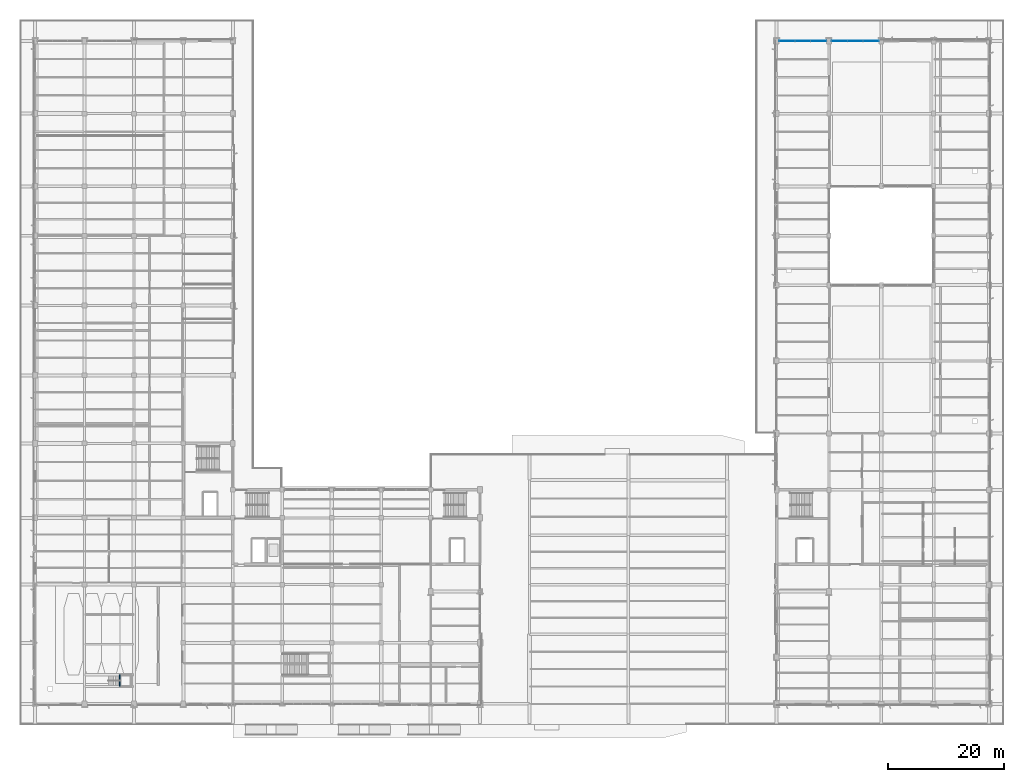
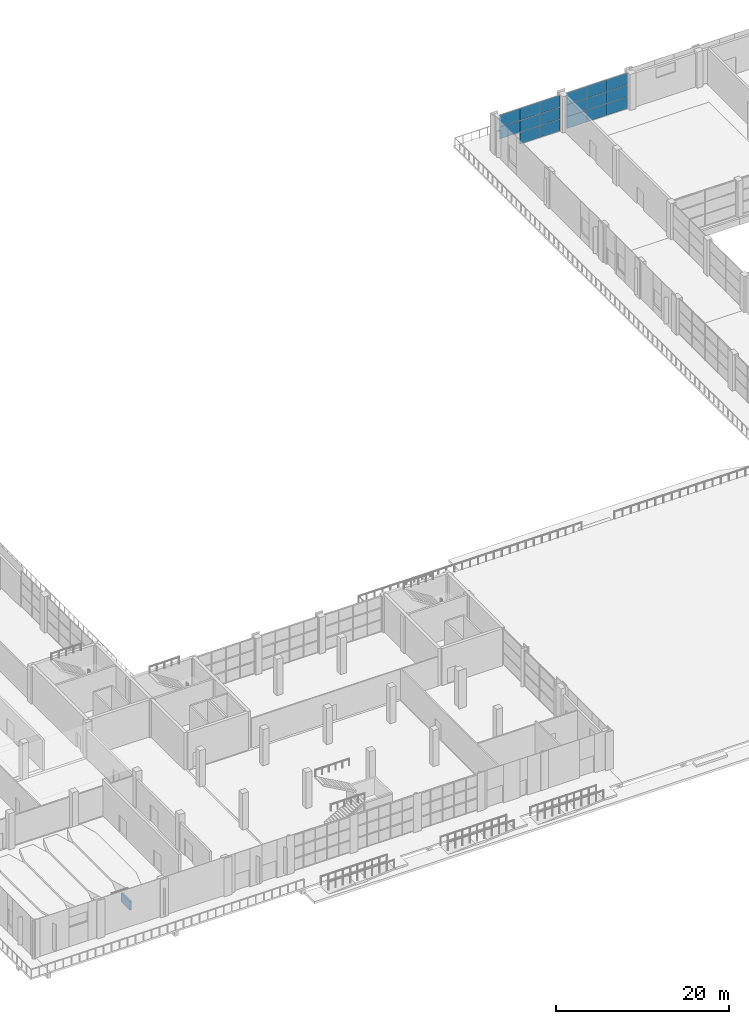
# One storey, part 65 of 90: 17 plates, 1 wall, 2 elements without a shape of their own.
"""IFC4 building model written with IfcOpenShell, lengths in metres."""

import ifcopenshell
import ifcopenshell.guid

model = None  # the IFC model being written
_history = None  # IfcOwnerHistory: only IFC2X3 demands one
_inside = {}  # id of a spatial element -> (the spatial element, [elements in it])
_under = {}  # id of a project, library or spatial element -> (it, [spatial elements below it])
_declared = {}  # id of a project -> (the project, [libraries it declares])
_typed = {}  # id of a type object -> (the type object, [elements of that type])
_made_of = {}  # id of a material, layer set ... -> (it, [elements and type objects made of it])


def new_model(schema):
    """Start an empty IFC model of exactly this schema.

    Asked for "IFC4X3", IfcOpenShell would pick the latest addendum, in which some entities
    have other attributes; the version numbers below select the first issue.
    IFC2X3 requires an IfcOwnerHistory on every rooted entity: one is made here for all.
    """
    global model, _history
    if schema == "IFC4X3":
        model = ifcopenshell.file(schema_version=(4, 3, 0, 0))
    else:
        model = ifcopenshell.file(schema=schema)
    _inside.clear()
    _under.clear()
    _declared.clear()
    _typed.clear()
    _made_of.clear()
    _history = None
    if model.schema == "IFC2X3":
        org = make("IfcOrganization", Name="unknown")
        user = make(
            "IfcPersonAndOrganization",
            ThePerson=make("IfcPerson", FamilyName="unknown"),
            TheOrganization=org,
        )
        app = make(
            "IfcApplication",
            ApplicationDeveloper=org,
            Version="unknown",
            ApplicationFullName="unknown",
            ApplicationIdentifier="unknown",
        )
        _history = make(
            "IfcOwnerHistory",
            OwningUser=user,
            OwningApplication=app,
            ChangeAction="ADDED",
            CreationDate=0,
        )
    return model


def make(cls, **values):
    """One entity of the class cls with the attributes given. An attribute that is None is left unset."""
    return model.create_entity(
        cls, **{name: value for name, value in values.items() if value is not None}
    )


def rooted(cls, **values):
    """An entity with a GlobalId (a new one), such as an element, a storey or a relation."""
    return make(cls, GlobalId=ifcopenshell.guid.new(), OwnerHistory=_history, **values)


def si_unit(unit_type, name, prefix=None):
    """IfcSIUnit, for example si_unit("LENGTHUNIT", "METRE", prefix="MILLI")."""
    return make("IfcSIUnit", UnitType=unit_type, Prefix=prefix, Name=name)


def assignment(units):
    """IfcUnitAssignment: the units of a project."""
    return None if units is None else make("IfcUnitAssignment", Units=units)


def point(xyz):
    """IfcCartesianPoint."""
    return None if xyz is None else make("IfcCartesianPoint", Coordinates=xyz)


def direction(xyz):
    """IfcDirection."""
    return None if xyz is None else make("IfcDirection", DirectionRatios=xyz)


def frame(location, z_axis=None, x_axis=None):
    """IfcAxis2Placement3D, a coordinate frame: its origin and axes. An axis left out is left unset."""
    return make(
        "IfcAxis2Placement3D",
        Location=point(location),
        Axis=direction(z_axis),
        RefDirection=direction(x_axis),
    )


def frame_2d(location, x_axis=None):
    """IfcAxis2Placement2D, a coordinate frame in the plane: its origin and x axis."""
    return make(
        "IfcAxis2Placement2D", Location=point(location), RefDirection=direction(x_axis)
    )


def origin():
    """The frame at (0, 0, 0) with its axes left unset."""
    return frame((0.0, 0.0, 0.0))


def origin_2d():
    """The frame at (0, 0) in the plane with its x axis left unset."""
    return frame_2d((0.0, 0.0))


def place(relative_to, where):
    """IfcLocalPlacement: puts the frame where relative to a parent placement (None: the world)."""
    return make(
        "IfcLocalPlacement", PlacementRelTo=relative_to, RelativePlacement=where
    )


def context(
    kind, dimensions, precision=None, world=None, true_north=None, identifier=None
):
    """IfcGeometricRepresentationContext, for example the 3D "Model" context."""
    return make(
        "IfcGeometricRepresentationContext",
        ContextIdentifier=identifier,
        ContextType=kind,
        CoordinateSpaceDimension=dimensions,
        Precision=precision,
        WorldCoordinateSystem=world,
        TrueNorth=true_north,
    )


def subcontext(parent, identifier, kind, view, scale=None):
    """IfcGeometricRepresentationSubContext, for example "Body" below "Model"."""
    return make(
        "IfcGeometricRepresentationSubContext",
        ContextIdentifier=identifier,
        ContextType=kind,
        ParentContext=parent,
        TargetScale=scale,
        TargetView=view,
    )


def project(units=None, contexts=None):
    """IfcProject with its units and contexts."""
    return rooted(
        "IfcProject",
        Name="project",
        RepresentationContexts=contexts,
        UnitsInContext=assignment(units),
    )


def spatial(cls, under=None, at=None, **own):
    """A site, building, storey or space (cls), placed at a placement, below another one or the project."""
    s = rooted(cls, ObjectPlacement=at, **own)
    if under is not None:
        _under.setdefault(under.id(), (under, []))[1].append(s)
    return s


def profile(cls, at=None, kind="AREA", **sizes):
    """A parametric profile (cls). Its sizes go by their IFC names, for example OverallWidth=200.0."""
    return make(cls, ProfileType=kind, Position=at, **sizes)


def rectangle(**sizes):
    """IfcRectangleProfileDef."""
    return profile("IfcRectangleProfileDef", **sizes)


def extrude(swept, where, along, depth):
    """IfcExtrudedAreaSolid: the profile swept, set in the frame where, extruded along a direction by depth."""
    return make(
        "IfcExtrudedAreaSolid",
        SweptArea=swept,
        Position=where,
        ExtrudedDirection=direction(along),
        Depth=depth,
    )


def shape(context_of_items, identifier, shape_type, items):
    """IfcShapeRepresentation: the items that make up one representation, for example the "Body"."""
    return make(
        "IfcShapeRepresentation",
        ContextOfItems=context_of_items,
        RepresentationIdentifier=identifier,
        RepresentationType=shape_type,
        Items=items,
    )


def material(Name=None, Category=None):
    """IfcMaterial."""
    return make("IfcMaterial", Name=Name, Category=Category)


def layer(
    of_material, thickness, ventilated=None, Name=None, Category=None, Priority=None
):
    """IfcMaterialLayer: one layer of a wall or slab, of a material (None: an air gap)."""
    return make(
        "IfcMaterialLayer",
        Material=of_material,
        LayerThickness=thickness,
        IsVentilated=ventilated,
        Name=Name,
        Category=Category,
        Priority=Priority,
    )


def layer_set(layers, Name=None):
    """IfcMaterialLayerSet."""
    return make("IfcMaterialLayerSet", MaterialLayers=layers, LayerSetName=Name)


def made_of(thing, what):
    """Note that an element or type object is made of a material, layer set ...; save() writes the relation."""
    if what is not None:
        _made_of.setdefault(what.id(), (what, []))[1].append(thing)
    return thing


def type_object(cls, material=None, **own):
    """A type object (cls), such as IfcWallType, which elements share."""
    return made_of(rooted(cls, **own), material)


def element(
    cls,
    number,
    at=None,
    inside=None,
    cuts=None,
    type_object=None,
    material=None,
    context=None,
    identifier="Body",
    shape_type=None,
    held_by="IfcProductDefinitionShape",
    body=None,
    shapes=None,
    **own,
):
    """One element of the class cls, such as IfcWall. Its Tag is "e" and its number.

    at: its placement. inside: the storey or other place that contains it. cuts: it is an
    opening in that element (IfcRelVoidsElement). A single representation is given by context,
    identifier, shape_type and body (its items); several are given by shapes. held_by: the class
    of the entity that holds the representations. save() writes the other relations.
    """
    e = rooted(cls, Tag="e%d" % number, ObjectPlacement=at, **own)
    if body is not None:
        shapes = [shape(context, identifier, shape_type, body)]
    if shapes is not None:
        e.Representation = make(held_by, Representations=shapes)
    if inside is not None:
        _inside.setdefault(inside.id(), (inside, []))[1].append(e)
    if cuts is not None:
        rooted(
            "IfcRelVoidsElement", RelatingBuildingElement=cuts, RelatedOpeningElement=e
        )
    if type_object is not None:
        _typed.setdefault(type_object.id(), (type_object, []))[1].append(e)
    return made_of(e, material)


def aggregate(whole, parts):
    """IfcRelAggregates: a whole, such as a stair, and the parts it consists of."""
    return rooted("IfcRelAggregates", RelatingObject=whole, RelatedObjects=parts)


def save(model, path):
    """Write the relations noted so far, then the file.

    IfcRelAggregates (storeys below a building ...), IfcRelContainedInSpatialStructure (elements
    in a storey), IfcRelDefinesByType, IfcRelAssociatesMaterial and IfcRelDeclares: one each for
    every whole, place, type object, material and project.
    """
    for whole, parts in _under.values():
        aggregate(whole, parts)
    for where, things in _inside.values():
        rooted(
            "IfcRelContainedInSpatialStructure",
            RelatedElements=things,
            RelatingStructure=where,
        )
    for kind, things in _typed.values():
        rooted("IfcRelDefinesByType", RelatedObjects=things, RelatingType=kind)
    for what, things in _made_of.values():
        rooted("IfcRelAssociatesMaterial", RelatedObjects=things, RelatingMaterial=what)
    for by, libraries in _declared.values():
        rooted("IfcRelDeclares", RelatingContext=by, RelatedDefinitions=libraries)
    model.write(path)


model = new_model("IFC4")

# Units and contexts
model_context = context("Model", 3, precision=1e-05, world=origin(), true_north=direction((0.0, 1.0)))
body_context = subcontext(model_context, "Body", "Model", "MODEL_VIEW")
ifc_project = project(units=[si_unit("LENGTHUNIT", "METRE"), si_unit("AREAUNIT", "SQUARE_METRE"), si_unit("VOLUMEUNIT", "CUBIC_METRE"), si_unit("PLANEANGLEUNIT", "RADIAN"), si_unit("MASSUNIT", "GRAM", prefix="KILO")], contexts=[model_context])

# Site, building, storey
site_placement = place(None, origin())
site = spatial("IfcSite", under=ifc_project, at=site_placement, CompositionType="ELEMENT")
building_placement = place(site_placement, origin())
building = spatial("IfcBuilding", under=site, at=building_placement, Name="Solvikara Media Centre", CompositionType="ELEMENT")
storey_placement = place(building_placement, origin())
storey = spatial("IfcBuildingStorey", under=building, at=storey_placement, Name="L00", CompositionType="ELEMENT", Elevation=0.0)

# Curtain wall, plates
ifc_material_1 = material(Name="Anodised aluminium EN AW-6063", Category="aluminium")
curtain_wall_type = type_object("IfcCurtainWallType", Name="CW-11", PredefinedType="NOTDEFINED", material=ifc_material_1)
curtain_wall_1_placement = place(storey_placement, origin())
curtain_wall_1 = element("IfcCurtainWall", 1, at=curtain_wall_1_placement, inside=storey, type_object=curtain_wall_type, Name="CW-L00-V2N-1-S1", PredefinedType="NOTDEFINED")
ifc_material_2 = material(Name="Insulated silver-pearl glass spandrel panel", Category="glass")
ifc_layer_1 = layer(ifc_material_2, 0.054931640625)
ifc_layer_set_1 = layer_set([ifc_layer_1], Name="Insulated silver-pearl glass spandrel panel")
plate_type_1 = type_object("IfcPlateType", Name="PN-07", PredefinedType="CURTAIN_PANEL", material=ifc_layer_set_1)
plate_1_placement = place(storey_placement, frame((129.29296875, 114.0, 1.7216796875), z_axis=(0.0, 0.0, 1.0), x_axis=(1.0, 0.0, 0.0)))
plate_1 = element("IfcPlate", 2, at=plate_1_placement, type_object=plate_type_1, Name="CW-L00-V2N-1-S1-P0001", PredefinedType="CURTAIN_PANEL", context=body_context, shape_type="SweptSolid", body=[
    extrude(rectangle(XDim=2.677001953125, YDim=0.054931640625, at=origin_2d()), origin(), (0.0, 0.0, 1.0), 1.656982421875),
])
plate_2_placement = place(storey_placement, frame((132.0, 114.0, 0.03466796875), z_axis=(0.0, 0.0, 1.0), x_axis=(1.0, 0.0, 0.0)))
plate_2 = element("IfcPlate", 3, at=plate_2_placement, type_object=plate_type_1, Name="CW-L00-V2N-1-S1-P0100", PredefinedType="CURTAIN_PANEL", context=body_context, shape_type="SweptSolid", body=[
    extrude(rectangle(XDim=2.677001953125, YDim=0.054931640625, at=origin_2d()), origin(), (0.0, 0.0, 1.0), 1.656982421875),
])
plate_3_placement = place(storey_placement, frame((132.0, 114.0, 3.40869140625), z_axis=(0.0, 0.0, 1.0), x_axis=(1.0, 0.0, 0.0)))
plate_3 = element("IfcPlate", 4, at=plate_3_placement, type_object=plate_type_1, Name="CW-L00-V2N-1-S1-P0102", PredefinedType="CURTAIN_PANEL", context=body_context, shape_type="SweptSolid", body=[
    extrude(rectangle(XDim=2.677001953125, YDim=0.054931640625, at=origin_2d()), origin(), (0.0, 0.0, 1.0), 1.656982421875),
])
plate_4_placement = place(storey_placement, frame((134.70703125, 114.0, 1.7216796875), z_axis=(0.0, 0.0, 1.0), x_axis=(1.0, 0.0, 0.0)))
plate_4 = element("IfcPlate", 5, at=plate_4_placement, type_object=plate_type_1, Name="CW-L00-V2N-1-S1-P0201", PredefinedType="CURTAIN_PANEL", context=body_context, shape_type="SweptSolid", body=[
    extrude(rectangle(XDim=2.677001953125, YDim=0.054931640625, at=origin_2d()), origin(), (0.0, 0.0, 1.0), 1.656982421875),
])

curtain_wall_2_placement = place(storey_placement, origin())
curtain_wall_2 = element("IfcCurtainWall", 6, at=curtain_wall_2_placement, inside=storey, type_object=curtain_wall_type, Name="CW-L00-V2N-1-S2", PredefinedType="NOTDEFINED")
plate_5_placement = place(storey_placement, frame((138.29296875, 114.0, 1.7216796875), z_axis=(0.0, 0.0, 1.0), x_axis=(1.0, 0.0, 0.0)))
plate_5 = element("IfcPlate", 7, at=plate_5_placement, type_object=plate_type_1, Name="CW-L00-V2N-1-S2-P0001", PredefinedType="CURTAIN_PANEL", context=body_context, shape_type="SweptSolid", body=[
    extrude(rectangle(XDim=2.677001953125, YDim=0.054931640625, at=origin_2d()), origin(), (0.0, 0.0, 1.0), 1.656982421875),
])
plate_6_placement = place(storey_placement, frame((141.0, 114.0, 0.03466796875), z_axis=(0.0, 0.0, 1.0), x_axis=(1.0, 0.0, 0.0)))
plate_6 = element("IfcPlate", 8, at=plate_6_placement, type_object=plate_type_1, Name="CW-L00-V2N-1-S2-P0100", PredefinedType="CURTAIN_PANEL", context=body_context, shape_type="SweptSolid", body=[
    extrude(rectangle(XDim=2.677001953125, YDim=0.054931640625, at=origin_2d()), origin(), (0.0, 0.0, 1.0), 1.656982421875),
])
plate_7_placement = place(storey_placement, frame((141.0, 114.0, 3.40869140625), z_axis=(0.0, 0.0, 1.0), x_axis=(1.0, 0.0, 0.0)))
plate_7 = element("IfcPlate", 9, at=plate_7_placement, type_object=plate_type_1, Name="CW-L00-V2N-1-S2-P0102", PredefinedType="CURTAIN_PANEL", context=body_context, shape_type="SweptSolid", body=[
    extrude(rectangle(XDim=2.677001953125, YDim=0.054931640625, at=origin_2d()), origin(), (0.0, 0.0, 1.0), 1.656982421875),
])
plate_8_placement = place(storey_placement, frame((143.70703125, 114.0, 1.7216796875), z_axis=(0.0, 0.0, 1.0), x_axis=(1.0, 0.0, 0.0)))
plate_8 = element("IfcPlate", 10, at=plate_8_placement, type_object=plate_type_1, Name="CW-L00-V2N-1-S2-P0201", PredefinedType="CURTAIN_PANEL", context=body_context, shape_type="SweptSolid", body=[
    extrude(rectangle(XDim=2.677001953125, YDim=0.054931640625, at=origin_2d()), origin(), (0.0, 0.0, 1.0), 1.656982421875),
])

# Plate
ifc_material_3 = material(Name="Ceramic-fritted teal low-E glass", Category="glass")
ifc_layer_2 = layer(ifc_material_3, 0.0380859375)
ifc_layer_set_2 = layer_set([ifc_layer_2], Name="Ceramic-fritted teal low-E glass")
plate_type_2 = type_object("IfcPlateType", Name="PN-12", PredefinedType="CURTAIN_PANEL", material=ifc_layer_set_2)
plate_9_placement = place(storey_placement, frame((129.29296875, 114.0, 3.40869140625), z_axis=(0.0, 0.0, 1.0), x_axis=(1.0, 0.0, 0.0)))
plate_9 = element("IfcPlate", 11, at=plate_9_placement, type_object=plate_type_2, Name="CW-L00-V2N-1-S1-P0002", PredefinedType="CURTAIN_PANEL", context=body_context, shape_type="SweptSolid", body=[
    extrude(rectangle(XDim=2.677001953125, YDim=0.0380859375, at=origin_2d()), origin(), (0.0, 0.0, 1.0), 1.656982421875),
])

plate_10_placement = place(storey_placement, frame((132.0, 114.0, 1.7216796875), z_axis=(0.0, 0.0, 1.0), x_axis=(1.0, 0.0, 0.0)))
plate_10 = element("IfcPlate", 12, at=plate_10_placement, type_object=plate_type_2, Name="CW-L00-V2N-1-S1-P0101", PredefinedType="CURTAIN_PANEL", context=body_context, shape_type="SweptSolid", body=[
    extrude(rectangle(XDim=2.677001953125, YDim=0.0380859375, at=origin_2d()), origin(), (0.0, 0.0, 1.0), 1.656982421875),
])

plate_11_placement = place(storey_placement, frame((134.70703125, 114.0, 0.03466796875), z_axis=(0.0, 0.0, 1.0), x_axis=(1.0, 0.0, 0.0)))
plate_11 = element("IfcPlate", 13, at=plate_11_placement, type_object=plate_type_2, Name="CW-L00-V2N-1-S1-P0200", PredefinedType="CURTAIN_PANEL", context=body_context, shape_type="SweptSolid", body=[
    extrude(rectangle(XDim=2.677001953125, YDim=0.0380859375, at=origin_2d()), origin(), (0.0, 0.0, 1.0), 1.656982421875),
])

plate_12_placement = place(storey_placement, frame((134.70703125, 114.0, 3.40869140625), z_axis=(0.0, 0.0, 1.0), x_axis=(1.0, 0.0, 0.0)))
plate_12 = element("IfcPlate", 14, at=plate_12_placement, type_object=plate_type_2, Name="CW-L00-V2N-1-S1-P0202", PredefinedType="CURTAIN_PANEL", context=body_context, shape_type="SweptSolid", body=[
    extrude(rectangle(XDim=2.677001953125, YDim=0.0380859375, at=origin_2d()), origin(), (0.0, 0.0, 1.0), 1.656982421875),
])

aggregate(curtain_wall_1, [plate_1, plate_9, plate_2, plate_10, plate_3, plate_11, plate_4, plate_12])

plate_13_placement = place(storey_placement, frame((138.29296875, 114.0, 0.03466796875), z_axis=(0.0, 0.0, 1.0), x_axis=(1.0, 0.0, 0.0)))
plate_13 = element("IfcPlate", 15, at=plate_13_placement, type_object=plate_type_2, Name="CW-L00-V2N-1-S2-P0000", PredefinedType="CURTAIN_PANEL", context=body_context, shape_type="SweptSolid", body=[
    extrude(rectangle(XDim=2.677001953125, YDim=0.0380859375, at=origin_2d()), origin(), (0.0, 0.0, 1.0), 1.656982421875),
])

plate_14_placement = place(storey_placement, frame((138.29296875, 114.0, 3.40869140625), z_axis=(0.0, 0.0, 1.0), x_axis=(1.0, 0.0, 0.0)))
plate_14 = element("IfcPlate", 16, at=plate_14_placement, type_object=plate_type_2, Name="CW-L00-V2N-1-S2-P0002", PredefinedType="CURTAIN_PANEL", context=body_context, shape_type="SweptSolid", body=[
    extrude(rectangle(XDim=2.677001953125, YDim=0.0380859375, at=origin_2d()), origin(), (0.0, 0.0, 1.0), 1.656982421875),
])

plate_15_placement = place(storey_placement, frame((141.0, 114.0, 1.7216796875), z_axis=(0.0, 0.0, 1.0), x_axis=(1.0, 0.0, 0.0)))
plate_15 = element("IfcPlate", 17, at=plate_15_placement, type_object=plate_type_2, Name="CW-L00-V2N-1-S2-P0101", PredefinedType="CURTAIN_PANEL", context=body_context, shape_type="SweptSolid", body=[
    extrude(rectangle(XDim=2.677001953125, YDim=0.0380859375, at=origin_2d()), origin(), (0.0, 0.0, 1.0), 1.656982421875),
])

plate_16_placement = place(storey_placement, frame((143.70703125, 114.0, 0.03466796875), z_axis=(0.0, 0.0, 1.0), x_axis=(1.0, 0.0, 0.0)))
plate_16 = element("IfcPlate", 18, at=plate_16_placement, type_object=plate_type_2, Name="CW-L00-V2N-1-S2-P0200", PredefinedType="CURTAIN_PANEL", context=body_context, shape_type="SweptSolid", body=[
    extrude(rectangle(XDim=2.677001953125, YDim=0.0380859375, at=origin_2d()), origin(), (0.0, 0.0, 1.0), 1.656982421875),
])

plate_17_placement = place(storey_placement, frame((143.70703125, 114.0, 3.40869140625), z_axis=(0.0, 0.0, 1.0), x_axis=(1.0, 0.0, 0.0)))
plate_17 = element("IfcPlate", 19, at=plate_17_placement, type_object=plate_type_2, Name="CW-L00-V2N-1-S2-P0202", PredefinedType="CURTAIN_PANEL", context=body_context, shape_type="SweptSolid", body=[
    extrude(rectangle(XDim=2.677001953125, YDim=0.0380859375, at=origin_2d()), origin(), (0.0, 0.0, 1.0), 1.656982421875),
])

aggregate(curtain_wall_2, [plate_13, plate_5, plate_14, plate_6, plate_15, plate_7, plate_16, plate_8, plate_17])

# Wall
ifc_material_4 = material(Name="Concrete fc' 45 MPa (C45/55)", Category="concrete")
ifc_layer_3 = layer(ifc_material_4, 0.25)
ifc_layer_set_3 = layer_set([ifc_layer_3], Name="Concrete fc' 45 MPa (C45/55)")
wall_type = type_object("IfcWallType", Name="WT-07", PredefinedType="STANDARD", material=ifc_layer_set_3)
wall_placement = place(storey_placement, frame((14.550048828125, 3.0, -0.340087890625), z_axis=(0.0, 0.0, 1.0), x_axis=(0.0, 1.0, 0.0)))
element("IfcWall", 20, at=wall_placement, inside=storey, type_object=wall_type, Name="VW-ST-GC-AISLE-4", PredefinedType="STANDARD", context=body_context, shape_type="SweptSolid", body=[
    extrude(rectangle(XDim=2.0, YDim=0.25, at=frame_2d((1.0, 0.0))), origin(), (0.0, 0.0, 1.0), 1.25),
])

save(model, "model.ifc")
